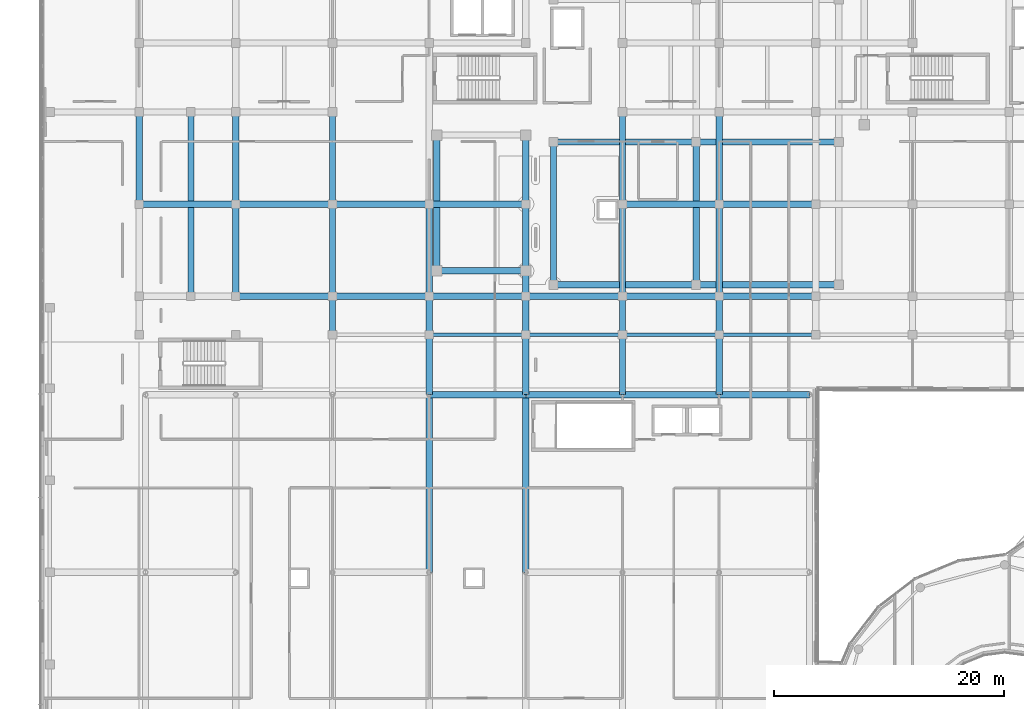
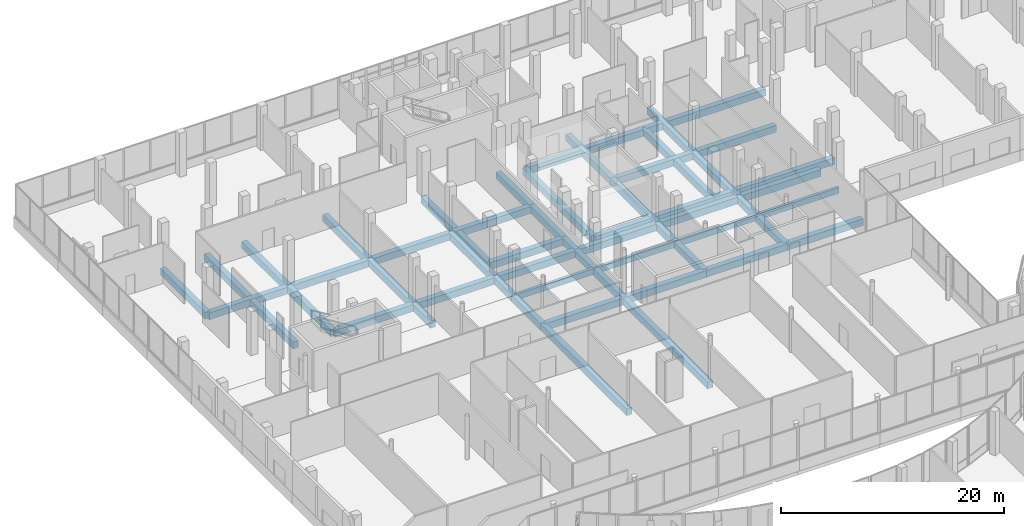
# One storey, part 62 of 155: 53 beams.
"""IFC4 building model written with IfcOpenShell, lengths in metres."""

from ifc_helpers import new_model, si_unit, direction, frame, origin, origin_2d, place, context, subcontext, project, spatial, rectangle, extrude, material, material_profile, profile_set, type_object, element, save


model = new_model("IFC4")

# Units and contexts
model_context = context("Model", 3, precision=1e-05, world=origin(), true_north=direction((0.0, 1.0)))
body_context = subcontext(model_context, "Body", "Model", "MODEL_VIEW")
ifc_project = project(units=[si_unit("LENGTHUNIT", "METRE"), si_unit("AREAUNIT", "SQUARE_METRE"), si_unit("VOLUMEUNIT", "CUBIC_METRE"), si_unit("PLANEANGLEUNIT", "RADIAN"), si_unit("MASSUNIT", "GRAM", prefix="KILO")], contexts=[model_context])

# Site, building, storey
site_placement = place(None, origin())
site = spatial("IfcSite", under=ifc_project, at=site_placement, CompositionType="ELEMENT")
building_placement = place(site_placement, origin())
building = spatial("IfcBuilding", under=site, at=building_placement, Name="Selatvlak General Hospital", CompositionType="ELEMENT")
storey_placement = place(building_placement, frame((0.0, 0.0, 10.199951171875)))
storey = spatial("IfcBuildingStorey", under=building, at=storey_placement, Name="L02", CompositionType="ELEMENT", Elevation=10.199951171875)

# Beams
ifc_material = material(Name="Concrete C40/50", Category="concrete")
ifc_material_profile_1 = material_profile(ifc_material, rectangle(XDim=0.550048828125, YDim=0.75, at=origin_2d()), Name="RC-BM 550x750")
ifc_profile_set_1 = profile_set([ifc_material_profile_1], Name="Concrete C40/50")
beam_type_1 = type_object("IfcBeamType", Name="BM-G02", PredefinedType="BEAM", material=ifc_profile_set_1)
beam_1_placement = place(storey_placement, frame((48.0, 83.449951171875, -0.72998046875), z_axis=(1.0, 0.0, 0.0), x_axis=(0.0, 1.0, 0.0)))
element("IfcBeam", 1, at=beam_1_placement, inside=storey, type_object=beam_type_1, Name="Beam BMR-L02-0809", PredefinedType="BEAM", context=body_context, shape_type="SweptSolid", body=[
    extrude(rectangle(XDim=0.550048828125, YDim=0.75, at=origin_2d()), origin(), (0.0, 0.0, 1.0), 8.39990234375),
])
beam_2_placement = place(storey_placement, frame((56.39990234375, 83.449951171875, -0.72998046875), z_axis=(1.0, 0.0, 0.0), x_axis=(0.0, 1.0, 0.0)))
element("IfcBeam", 2, at=beam_2_placement, inside=storey, type_object=beam_type_1, Name="Beam BMR-L02-0810", PredefinedType="BEAM", context=body_context, shape_type="SweptSolid", body=[
    extrude(rectangle(XDim=0.550048828125, YDim=0.75, at=origin_2d()), origin(), (0.0, 0.0, 1.0), 8.400146484375),
])
beam_3_placement = place(storey_placement, frame((64.800048828125, 83.449951171875, -0.72998046875), z_axis=(1.0, 0.0, 0.0), x_axis=(0.0, 1.0, 0.0)))
element("IfcBeam", 3, at=beam_3_placement, inside=storey, type_object=beam_type_1, Name="Beam BMR-L02-0811", PredefinedType="BEAM", context=body_context, shape_type="SweptSolid", body=[
    extrude(rectangle(XDim=0.550048828125, YDim=0.75, at=origin_2d()), origin(), (0.0, 0.0, 1.0), 8.39990234375),
])
beam_4_placement = place(storey_placement, frame((73.199951171875, 83.449951171875, -0.72998046875), z_axis=(1.0, 0.0, 0.0), x_axis=(0.0, 1.0, 0.0)))
element("IfcBeam", 4, at=beam_4_placement, inside=storey, type_object=beam_type_1, Name="Beam BMR-L02-0812", PredefinedType="BEAM", context=body_context, shape_type="SweptSolid", body=[
    extrude(rectangle(XDim=0.550048828125, YDim=0.75, at=origin_2d()), origin(), (0.0, 0.0, 1.0), 7.85009765625),
])
beam_5_placement = place(storey_placement, frame((31.199951171875, 92.0, -0.72998046875), z_axis=(1.0, 0.0, 0.0), x_axis=(0.0, 1.0, 0.0)))
element("IfcBeam", 5, at=beam_5_placement, inside=storey, type_object=beam_type_1, Name="Beam BMR-L02-0837", PredefinedType="BEAM", context=body_context, shape_type="SweptSolid", body=[
    extrude(rectangle(XDim=0.550048828125, YDim=0.75, at=origin_2d()), origin(), (0.0, 0.0, 1.0), 8.400146484375),
])
for number, where, z_axis, x_axis, name in (
    (6, (39.60009765625, 92.0, -0.72998046875), (1.0, 0.0, 0.0), (0.0, 1.0, 0.0), "Beam BMR-L02-0838"),
    (7, (48.0, 92.0, -0.72998046875), (1.0, 0.0, 0.0), (0.0, 1.0, 0.0), "Beam BMR-L02-0839"),
):
    element("IfcBeam", number, at=place(storey_placement, frame(where, z_axis=z_axis, x_axis=x_axis)), inside=storey, type_object=beam_type_1, Name=name, PredefinedType="BEAM", context=body_context, shape_type="SweptSolid", body=[
        extrude(rectangle(XDim=0.550048828125, YDim=0.75, at=origin_2d()), origin(), (0.0, 0.0, 1.0), 8.39990234375),
    ])
beam_6_placement = place(storey_placement, frame((56.39990234375, 92.0, -0.72998046875), z_axis=(1.0, 0.0, 0.0), x_axis=(0.0, 1.0, 0.0)))
element("IfcBeam", 8, at=beam_6_placement, inside=storey, type_object=beam_type_1, Name="Beam BMR-L02-0840", PredefinedType="BEAM", context=body_context, shape_type="SweptSolid", body=[
    extrude(rectangle(XDim=0.550048828125, YDim=0.75, at=origin_2d()), origin(), (0.0, 0.0, 1.0), 8.400146484375),
])
beam_7_placement = place(storey_placement, frame((64.800048828125, 92.0, -0.72998046875), z_axis=(1.0, 0.0, 0.0), x_axis=(0.0, 1.0, 0.0)))
element("IfcBeam", 9, at=beam_7_placement, inside=storey, type_object=beam_type_1, Name="Beam BMR-L02-0841", PredefinedType="BEAM", context=body_context, shape_type="SweptSolid", body=[
    extrude(rectangle(XDim=0.550048828125, YDim=0.75, at=origin_2d()), origin(), (0.0, 0.0, 1.0), 8.39990234375),
])
beam_8_placement = place(storey_placement, frame((73.199951171875, 92.0, -0.72998046875), z_axis=(1.0, 0.0, 0.0), x_axis=(0.0, 1.0, 0.0)))
element("IfcBeam", 10, at=beam_8_placement, inside=storey, type_object=beam_type_1, Name="Beam BMR-L02-0842", PredefinedType="BEAM", context=body_context, shape_type="SweptSolid", body=[
    extrude(rectangle(XDim=0.550048828125, YDim=0.75, at=origin_2d()), origin(), (0.0, 0.0, 1.0), 8.400146484375),
])
beam_9_placement = place(storey_placement, frame((58.800048828125, 93.0, -0.72998046875), z_axis=(1.0, 0.0, 0.0), x_axis=(0.0, 1.0, 0.0)))
element("IfcBeam", 11, at=beam_9_placement, inside=storey, type_object=beam_type_1, Name="Beam BMR-L02-0856", PredefinedType="BEAM", context=body_context, shape_type="SweptSolid", body=[
    extrude(rectangle(XDim=0.550048828125, YDim=0.75, at=origin_2d()), origin(), (0.0, 0.0, 1.0), 12.39990234375),
])
beam_10_placement = place(storey_placement, frame((71.199951171875, 93.0, -0.72998046875), z_axis=(1.0, 0.0, 0.0), x_axis=(0.0, 1.0, 0.0)))
element("IfcBeam", 12, at=beam_10_placement, inside=storey, type_object=beam_type_1, Name="Beam BMR-L02-0857", PredefinedType="BEAM", context=body_context, shape_type="SweptSolid", body=[
    extrude(rectangle(XDim=0.550048828125, YDim=0.75, at=origin_2d()), origin(), (0.0, 0.0, 1.0), 12.400146484375),
])
beam_11_placement = place(storey_placement, frame((48.64990234375, 94.199951171875, -0.72998046875), z_axis=(1.0, 0.0, 0.0), x_axis=(0.0, 1.0, 0.0)))
element("IfcBeam", 13, at=beam_11_placement, inside=storey, type_object=beam_type_1, Name="Beam BMR-L02-0858", PredefinedType="BEAM", context=body_context, shape_type="SweptSolid", body=[
    extrude(rectangle(XDim=0.550048828125, YDim=0.75, at=origin_2d()), origin(), (0.0, 0.0, 1.0), 7.75),
])
beam_12_placement = place(storey_placement, frame((22.800048828125, 100.0, -0.72998046875), z_axis=(1.0, 0.0, 0.0), x_axis=(0.0, 1.0, 0.0)))
element("IfcBeam", 14, at=beam_12_placement, inside=storey, type_object=beam_type_1, Name="Beam BMR-L02-0859", PredefinedType="BEAM", context=body_context, shape_type="SweptSolid", body=[
    extrude(rectangle(XDim=0.550048828125, YDim=0.75, at=origin_2d()), origin(), (0.0, 0.0, 1.0), 8.39990234375),
])
beam_13_placement = place(storey_placement, frame((31.199951171875, 100.0, -0.72998046875), z_axis=(1.0, 0.0, 0.0), x_axis=(0.0, 1.0, 0.0)))
element("IfcBeam", 15, at=beam_13_placement, inside=storey, type_object=beam_type_1, Name="Beam BMR-L02-0860", PredefinedType="BEAM", context=body_context, shape_type="SweptSolid", body=[
    extrude(rectangle(XDim=0.550048828125, YDim=0.75, at=origin_2d()), origin(), (0.0, 0.0, 1.0), 8.400146484375),
])
for number, where, z_axis, x_axis, name in (
    (16, (39.60009765625, 100.0, -0.72998046875), (1.0, 0.0, 0.0), (0.0, 1.0, 0.0), "Beam BMR-L02-0861"),
    (17, (48.0, 100.0, -0.72998046875), (1.0, 0.0, 0.0), (0.0, 1.0, 0.0), "Beam BMR-L02-0862"),
    (18, (64.800048828125, 100.0, -0.72998046875), (1.0, 0.0, 0.0), (0.0, 1.0, 0.0), "Beam BMR-L02-0863"),
):
    element("IfcBeam", number, at=place(storey_placement, frame(where, z_axis=z_axis, x_axis=x_axis)), inside=storey, type_object=beam_type_1, Name=name, PredefinedType="BEAM", context=body_context, shape_type="SweptSolid", body=[
        extrude(rectangle(XDim=0.550048828125, YDim=0.75, at=origin_2d()), origin(), (0.0, 0.0, 1.0), 8.39990234375),
    ])
beam_14_placement = place(storey_placement, frame((73.199951171875, 100.0, -0.72998046875), z_axis=(1.0, 0.0, 0.0), x_axis=(0.0, 1.0, 0.0)))
element("IfcBeam", 19, at=beam_14_placement, inside=storey, type_object=beam_type_1, Name="Beam BMR-L02-0864", PredefinedType="BEAM", context=body_context, shape_type="SweptSolid", body=[
    extrude(rectangle(XDim=0.550048828125, YDim=0.75, at=origin_2d()), origin(), (0.0, 0.0, 1.0), 8.400146484375),
])
beam_15_placement = place(storey_placement, frame((58.800048828125, 105.39990234375, -0.72998046875), z_axis=(1.0, 0.0, 0.0), x_axis=(0.0, 1.0, 0.0)))
element("IfcBeam", 20, at=beam_15_placement, inside=storey, type_object=beam_type_1, Name="Beam BMR-L02-0876", PredefinedType="BEAM", context=body_context, shape_type="SweptSolid", body=[
    extrude(rectangle(XDim=0.550048828125, YDim=0.75, at=origin_2d()), origin(), (0.0, 0.0, 1.0), 12.39990234375),
])
beam_16_placement = place(storey_placement, frame((71.199951171875, 105.39990234375, -0.72998046875), z_axis=(1.0, 0.0, 0.0), x_axis=(0.0, 1.0, 0.0)))
element("IfcBeam", 21, at=beam_16_placement, inside=storey, type_object=beam_type_1, Name="Beam BMR-L02-0877", PredefinedType="BEAM", context=body_context, shape_type="SweptSolid", body=[
    extrude(rectangle(XDim=0.550048828125, YDim=0.75, at=origin_2d()), origin(), (0.0, 0.0, 1.0), 12.400146484375),
])
beam_17_placement = place(storey_placement, frame((22.800048828125, 100.0, -0.72998046875), z_axis=(0.0, 1.0, 0.0), x_axis=(-1.0, 0.0, 0.0)))
element("IfcBeam", 22, at=beam_17_placement, inside=storey, type_object=beam_type_1, Name="Beam BMR-L02-0931", PredefinedType="BEAM", context=body_context, shape_type="SweptSolid", body=[
    extrude(rectangle(XDim=0.550048828125, YDim=0.75, at=origin_2d()), origin(), (0.0, 0.0, 1.0), 8.0),
])
beam_18_placement = place(storey_placement, frame((27.300048828125, 92.0, -0.72998046875), z_axis=(0.0, 1.0, 0.0), x_axis=(-1.0, 0.0, 0.0)))
element("IfcBeam", 23, at=beam_18_placement, inside=storey, type_object=beam_type_1, Name="Beam BMR-L02-0936", PredefinedType="BEAM", context=body_context, shape_type="SweptSolid", body=[
    extrude(rectangle(XDim=0.550048828125, YDim=0.75, at=origin_2d()), origin(), (0.0, 0.0, 1.0), 16.0),
])
for number, where, z_axis, x_axis, name in (
    (24, (31.199951171875, 92.0, -0.72998046875), (0.0, 1.0, 0.0), (-1.0, 0.0, 0.0), "Beam BMR-L02-0939"),
    (25, (31.199951171875, 100.0, -0.72998046875), (0.0, 1.0, 0.0), (-1.0, 0.0, 0.0), "Beam BMR-L02-0940"),
):
    element("IfcBeam", number, at=place(storey_placement, frame(where, z_axis=z_axis, x_axis=x_axis)), inside=storey, type_object=beam_type_1, Name=name, PredefinedType="BEAM", context=body_context, shape_type="SweptSolid", body=[
        extrude(rectangle(XDim=0.550048828125, YDim=0.75, at=origin_2d()), origin(), (0.0, 0.0, 1.0), 8.0),
    ])
beam_19_placement = place(storey_placement, frame((39.60009765625, 88.64990234375, -0.72998046875), z_axis=(0.0, 1.0, 0.0), x_axis=(-1.0, 0.0, 0.0)))
element("IfcBeam", 26, at=beam_19_placement, inside=storey, type_object=beam_type_1, Name="Beam BMR-L02-0946", PredefinedType="BEAM", context=body_context, shape_type="SweptSolid", body=[
    extrude(rectangle(XDim=0.550048828125, YDim=0.75, at=origin_2d()), origin(), (0.0, 0.0, 1.0), 3.35009765625),
])
for number, where, z_axis, x_axis, name in (
    (27, (39.60009765625, 92.0, -0.72998046875), (0.0, 1.0, 0.0), (-1.0, 0.0, 0.0), "Beam BMR-L02-0947"),
    (28, (39.60009765625, 100.0, -0.72998046875), (0.0, 1.0, 0.0), (-1.0, 0.0, 0.0), "Beam BMR-L02-0948"),
):
    element("IfcBeam", number, at=place(storey_placement, frame(where, z_axis=z_axis, x_axis=x_axis)), inside=storey, type_object=beam_type_1, Name=name, PredefinedType="BEAM", context=body_context, shape_type="SweptSolid", body=[
        extrude(rectangle(XDim=0.550048828125, YDim=0.75, at=origin_2d()), origin(), (0.0, 0.0, 1.0), 8.0),
    ])
beam_20_placement = place(storey_placement, frame((48.0, 68.0, -0.72998046875), z_axis=(0.0, 1.0, 0.0), x_axis=(-1.0, 0.0, 0.0)))
element("IfcBeam", 29, at=beam_20_placement, inside=storey, type_object=beam_type_1, Name="Beam BMR-L02-0952", PredefinedType="BEAM", context=body_context, shape_type="SweptSolid", body=[
    extrude(rectangle(XDim=0.550048828125, YDim=0.75, at=origin_2d()), origin(), (0.0, 0.0, 1.0), 15.449951171875),
])
beam_21_placement = place(storey_placement, frame((48.0, 83.449951171875, -0.72998046875), z_axis=(0.0, 1.0, 0.0), x_axis=(-1.0, 0.0, 0.0)))
element("IfcBeam", 30, at=beam_21_placement, inside=storey, type_object=beam_type_1, Name="Beam BMR-L02-0953", PredefinedType="BEAM", context=body_context, shape_type="SweptSolid", body=[
    extrude(rectangle(XDim=0.550048828125, YDim=0.75, at=origin_2d()), origin(), (0.0, 0.0, 1.0), 5.199951171875),
])
beam_22_placement = place(storey_placement, frame((48.0, 88.64990234375, -0.72998046875), z_axis=(0.0, 1.0, 0.0), x_axis=(-1.0, 0.0, 0.0)))
element("IfcBeam", 31, at=beam_22_placement, inside=storey, type_object=beam_type_1, Name="Beam BMR-L02-0954", PredefinedType="BEAM", context=body_context, shape_type="SweptSolid", body=[
    extrude(rectangle(XDim=0.550048828125, YDim=0.75, at=origin_2d()), origin(), (0.0, 0.0, 1.0), 3.35009765625),
])
beam_23_placement = place(storey_placement, frame((48.0, 92.0, -0.72998046875), z_axis=(0.0, 1.0, 0.0), x_axis=(-1.0, 0.0, 0.0)))
element("IfcBeam", 32, at=beam_23_placement, inside=storey, type_object=beam_type_1, Name="Beam BMR-L02-0955", PredefinedType="BEAM", context=body_context, shape_type="SweptSolid", body=[
    extrude(rectangle(XDim=0.550048828125, YDim=0.75, at=origin_2d()), origin(), (0.0, 0.0, 1.0), 8.0),
])
beam_24_placement = place(storey_placement, frame((48.64990234375, 94.199951171875, -0.72998046875), z_axis=(0.0, 1.0, 0.0), x_axis=(-1.0, 0.0, 0.0)))
element("IfcBeam", 33, at=beam_24_placement, inside=storey, type_object=beam_type_1, Name="Beam BMR-L02-0957", PredefinedType="BEAM", context=body_context, shape_type="SweptSolid", body=[
    extrude(rectangle(XDim=0.550048828125, YDim=0.75, at=origin_2d()), origin(), (0.0, 0.0, 1.0), 11.800048828125),
])
beam_25_placement = place(storey_placement, frame((56.39990234375, 68.0, -0.72998046875), z_axis=(0.0, 1.0, 0.0), x_axis=(-1.0, 0.0, 0.0)))
element("IfcBeam", 34, at=beam_25_placement, inside=storey, type_object=beam_type_1, Name="Beam BMR-L02-0959", PredefinedType="BEAM", context=body_context, shape_type="SweptSolid", body=[
    extrude(rectangle(XDim=0.550048828125, YDim=0.75, at=origin_2d()), origin(), (0.0, 0.0, 1.0), 15.449951171875),
])
beam_26_placement = place(storey_placement, frame((56.39990234375, 83.449951171875, -0.72998046875), z_axis=(0.0, 1.0, 0.0), x_axis=(-1.0, 0.0, 0.0)))
element("IfcBeam", 35, at=beam_26_placement, inside=storey, type_object=beam_type_1, Name="Beam BMR-L02-0960", PredefinedType="BEAM", context=body_context, shape_type="SweptSolid", body=[
    extrude(rectangle(XDim=0.550048828125, YDim=0.75, at=origin_2d()), origin(), (0.0, 0.0, 1.0), 5.199951171875),
])
beam_27_placement = place(storey_placement, frame((56.39990234375, 88.64990234375, -0.72998046875), z_axis=(0.0, 1.0, 0.0), x_axis=(-1.0, 0.0, 0.0)))
element("IfcBeam", 36, at=beam_27_placement, inside=storey, type_object=beam_type_1, Name="Beam BMR-L02-0961", PredefinedType="BEAM", context=body_context, shape_type="SweptSolid", body=[
    extrude(rectangle(XDim=0.550048828125, YDim=0.75, at=origin_2d()), origin(), (0.0, 0.0, 1.0), 3.35009765625),
])
beam_28_placement = place(storey_placement, frame((56.39990234375, 92.0, -0.72998046875), z_axis=(0.0, 1.0, 0.0), x_axis=(-1.0, 0.0, 0.0)))
element("IfcBeam", 37, at=beam_28_placement, inside=storey, type_object=beam_type_1, Name="Beam BMR-L02-0962", PredefinedType="BEAM", context=body_context, shape_type="SweptSolid", body=[
    extrude(rectangle(XDim=0.550048828125, YDim=0.75, at=origin_2d()), origin(), (0.0, 0.0, 1.0), 2.199951171875),
])
beam_29_placement = place(storey_placement, frame((56.39990234375, 94.199951171875, -0.72998046875), z_axis=(0.0, 1.0, 0.0), x_axis=(-1.0, 0.0, 0.0)))
element("IfcBeam", 38, at=beam_29_placement, inside=storey, type_object=beam_type_1, Name="Beam BMR-L02-0963", PredefinedType="BEAM", context=body_context, shape_type="SweptSolid", body=[
    extrude(rectangle(XDim=0.550048828125, YDim=0.75, at=origin_2d()), origin(), (0.0, 0.0, 1.0), 5.800048828125),
])
beam_30_placement = place(storey_placement, frame((56.39990234375, 100.0, -0.72998046875), z_axis=(0.0, 1.0, 0.0), x_axis=(-1.0, 0.0, 0.0)))
element("IfcBeam", 39, at=beam_30_placement, inside=storey, type_object=beam_type_1, Name="Beam BMR-L02-0964", PredefinedType="BEAM", context=body_context, shape_type="SweptSolid", body=[
    extrude(rectangle(XDim=0.550048828125, YDim=0.75, at=origin_2d()), origin(), (0.0, 0.0, 1.0), 6.0),
])
beam_31_placement = place(storey_placement, frame((58.800048828125, 93.0, -0.72998046875), z_axis=(0.0, 1.0, 0.0), x_axis=(-1.0, 0.0, 0.0)))
element("IfcBeam", 40, at=beam_31_placement, inside=storey, type_object=beam_type_1, Name="Beam BMR-L02-0966", PredefinedType="BEAM", context=body_context, shape_type="SweptSolid", body=[
    extrude(rectangle(XDim=0.550048828125, YDim=0.75, at=origin_2d()), origin(), (0.0, 0.0, 1.0), 12.39990234375),
])
beam_32_placement = place(storey_placement, frame((64.800048828125, 83.449951171875, -0.72998046875), z_axis=(0.0, 1.0, 0.0), x_axis=(-1.0, 0.0, 0.0)))
element("IfcBeam", 41, at=beam_32_placement, inside=storey, type_object=beam_type_1, Name="Beam BMR-L02-0968", PredefinedType="BEAM", context=body_context, shape_type="SweptSolid", body=[
    extrude(rectangle(XDim=0.550048828125, YDim=0.75, at=origin_2d()), origin(), (0.0, 0.0, 1.0), 5.199951171875),
])
beam_33_placement = place(storey_placement, frame((64.800048828125, 88.64990234375, -0.72998046875), z_axis=(0.0, 1.0, 0.0), x_axis=(-1.0, 0.0, 0.0)))
element("IfcBeam", 42, at=beam_33_placement, inside=storey, type_object=beam_type_1, Name="Beam BMR-L02-0969", PredefinedType="BEAM", context=body_context, shape_type="SweptSolid", body=[
    extrude(rectangle(XDim=0.550048828125, YDim=0.75, at=origin_2d()), origin(), (0.0, 0.0, 1.0), 3.35009765625),
])
for number, where, z_axis, x_axis, name in (
    (43, (64.800048828125, 92.0, -0.72998046875), (0.0, 1.0, 0.0), (-1.0, 0.0, 0.0), "Beam BMR-L02-0970"),
    (44, (64.800048828125, 100.0, -0.72998046875), (0.0, 1.0, 0.0), (-1.0, 0.0, 0.0), "Beam BMR-L02-0971"),
):
    element("IfcBeam", number, at=place(storey_placement, frame(where, z_axis=z_axis, x_axis=x_axis)), inside=storey, type_object=beam_type_1, Name=name, PredefinedType="BEAM", context=body_context, shape_type="SweptSolid", body=[
        extrude(rectangle(XDim=0.550048828125, YDim=0.75, at=origin_2d()), origin(), (0.0, 0.0, 1.0), 8.0),
    ])
beam_34_placement = place(storey_placement, frame((71.199951171875, 93.0, -0.72998046875), z_axis=(0.0, 1.0, 0.0), x_axis=(-1.0, 0.0, 0.0)))
element("IfcBeam", 45, at=beam_34_placement, inside=storey, type_object=beam_type_1, Name="Beam BMR-L02-0974", PredefinedType="BEAM", context=body_context, shape_type="SweptSolid", body=[
    extrude(rectangle(XDim=0.550048828125, YDim=0.75, at=origin_2d()), origin(), (0.0, 0.0, 1.0), 12.39990234375),
])
beam_35_placement = place(storey_placement, frame((73.199951171875, 83.449951171875, -0.72998046875), z_axis=(0.0, 1.0, 0.0), x_axis=(-1.0, 0.0, 0.0)))
element("IfcBeam", 46, at=beam_35_placement, inside=storey, type_object=beam_type_1, Name="Beam BMR-L02-0977", PredefinedType="BEAM", context=body_context, shape_type="SweptSolid", body=[
    extrude(rectangle(XDim=0.550048828125, YDim=0.75, at=origin_2d()), origin(), (0.0, 0.0, 1.0), 5.199951171875),
])
beam_36_placement = place(storey_placement, frame((73.199951171875, 88.64990234375, -0.72998046875), z_axis=(0.0, 1.0, 0.0), x_axis=(-1.0, 0.0, 0.0)))
element("IfcBeam", 47, at=beam_36_placement, inside=storey, type_object=beam_type_1, Name="Beam BMR-L02-0978", PredefinedType="BEAM", context=body_context, shape_type="SweptSolid", body=[
    extrude(rectangle(XDim=0.550048828125, YDim=0.75, at=origin_2d()), origin(), (0.0, 0.0, 1.0), 3.35009765625),
])
for number, where, z_axis, x_axis, name in (
    (48, (73.199951171875, 92.0, -0.72998046875), (0.0, 1.0, 0.0), (-1.0, 0.0, 0.0), "Beam BMR-L02-0979"),
    (49, (73.199951171875, 100.0, -0.72998046875), (0.0, 1.0, 0.0), (-1.0, 0.0, 0.0), "Beam BMR-L02-0980"),
):
    element("IfcBeam", number, at=place(storey_placement, frame(where, z_axis=z_axis, x_axis=x_axis)), inside=storey, type_object=beam_type_1, Name=name, PredefinedType="BEAM", context=body_context, shape_type="SweptSolid", body=[
        extrude(rectangle(XDim=0.550048828125, YDim=0.75, at=origin_2d()), origin(), (0.0, 0.0, 1.0), 8.0),
    ])
ifc_material_profile_2 = material_profile(ifc_material, rectangle(XDim=0.300048828125, YDim=0.64990234375, at=origin_2d()), Name="RC-SP 300x650")
ifc_profile_set_2 = profile_set([ifc_material_profile_2], Name="Concrete C40/50")
beam_type_2 = type_object("IfcBeamType", Name="BM-SP1", PredefinedType="SPANDREL", material=ifc_profile_set_2)
beam_37_placement = place(storey_placement, frame((48.0, 88.64990234375, -0.679931640625), z_axis=(1.0, 0.0, 0.0), x_axis=(0.0, 1.0, 0.0)))
element("IfcBeam", 50, at=beam_37_placement, inside=storey, type_object=beam_type_2, Name="Beam BMR-L02-0819", PredefinedType="SPANDREL", context=body_context, shape_type="SweptSolid", body=[
    extrude(rectangle(XDim=0.300048828125, YDim=0.64990234375, at=origin_2d()), origin(), (0.0, 0.0, 1.0), 8.39990234375),
])
beam_38_placement = place(storey_placement, frame((56.39990234375, 88.64990234375, -0.679931640625), z_axis=(1.0, 0.0, 0.0), x_axis=(0.0, 1.0, 0.0)))
element("IfcBeam", 51, at=beam_38_placement, inside=storey, type_object=beam_type_2, Name="Beam BMR-L02-0820", PredefinedType="SPANDREL", context=body_context, shape_type="SweptSolid", body=[
    extrude(rectangle(XDim=0.300048828125, YDim=0.64990234375, at=origin_2d()), origin(), (0.0, 0.0, 1.0), 8.400146484375),
])
beam_39_placement = place(storey_placement, frame((64.800048828125, 88.64990234375, -0.679931640625), z_axis=(1.0, 0.0, 0.0), x_axis=(0.0, 1.0, 0.0)))
element("IfcBeam", 52, at=beam_39_placement, inside=storey, type_object=beam_type_2, Name="Beam BMR-L02-0821", PredefinedType="SPANDREL", context=body_context, shape_type="SweptSolid", body=[
    extrude(rectangle(XDim=0.300048828125, YDim=0.64990234375, at=origin_2d()), origin(), (0.0, 0.0, 1.0), 8.39990234375),
])
beam_40_placement = place(storey_placement, frame((73.199951171875, 88.64990234375, -0.679931640625), z_axis=(1.0, 0.0, 0.0), x_axis=(0.0, 1.0, 0.0)))
element("IfcBeam", 53, at=beam_40_placement, inside=storey, type_object=beam_type_2, Name="Beam BMR-L02-0822", PredefinedType="SPANDREL", context=body_context, shape_type="SweptSolid", body=[
    extrude(rectangle(XDim=0.300048828125, YDim=0.64990234375, at=origin_2d()), origin(), (0.0, 0.0, 1.0), 8.400146484375),
])

save(model, "model.ifc")
